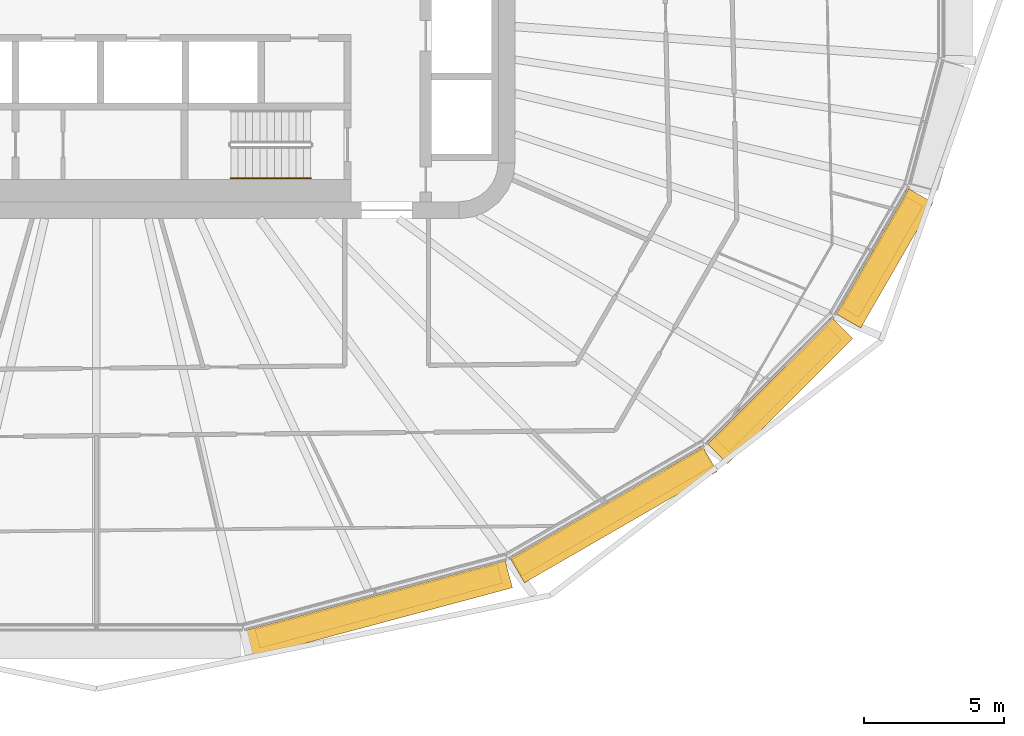
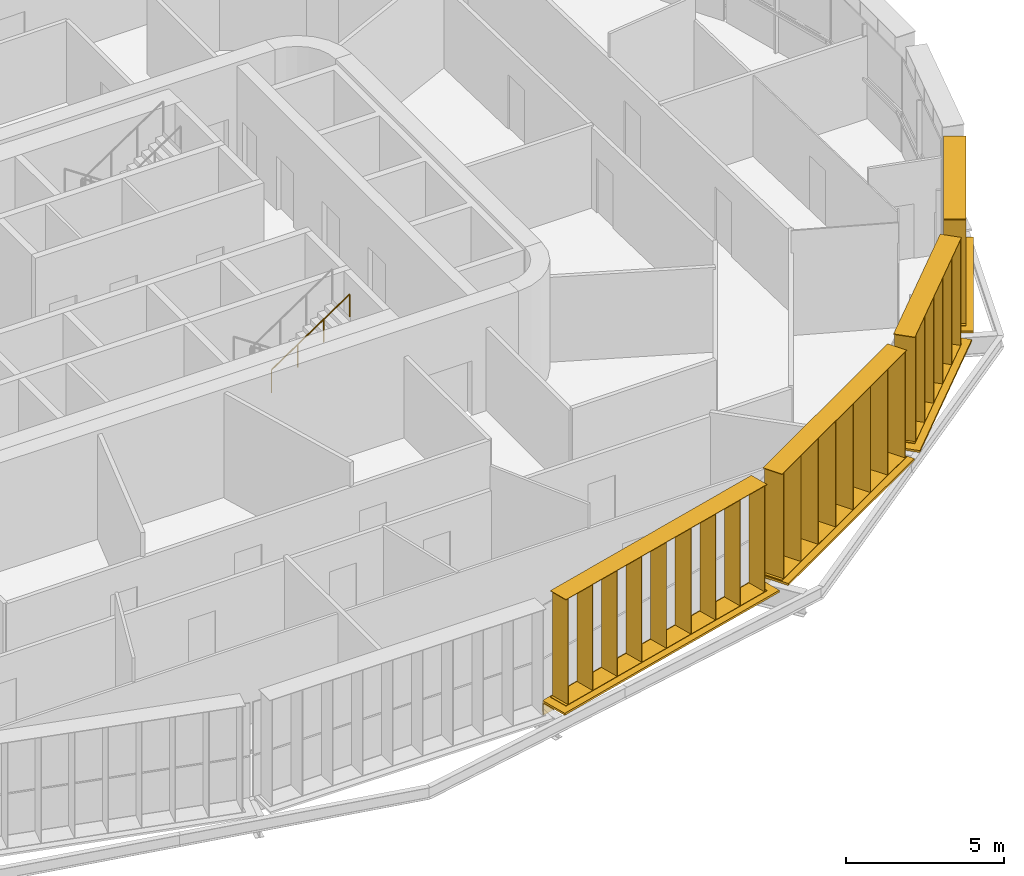
# One storey, part 19 of 22: 8 shading devices, 1 railing.
"""IFC4 building model written with IfcOpenShell, lengths in metres."""

import ifcopenshell
import ifcopenshell.guid

model = None  # the IFC model being written
_history = None  # IfcOwnerHistory: only IFC2X3 demands one
_inside = {}  # id of a spatial element -> (the spatial element, [elements in it])
_under = {}  # id of a project, library or spatial element -> (it, [spatial elements below it])
_declared = {}  # id of a project -> (the project, [libraries it declares])
_typed = {}  # id of a type object -> (the type object, [elements of that type])
_made_of = {}  # id of a material, layer set ... -> (it, [elements and type objects made of it])


def new_model(schema):
    """Start an empty IFC model of exactly this schema.

    Asked for "IFC4X3", IfcOpenShell would pick the latest addendum, in which some entities
    have other attributes; the version numbers below select the first issue.
    IFC2X3 requires an IfcOwnerHistory on every rooted entity: one is made here for all.
    """
    global model, _history
    if schema == "IFC4X3":
        model = ifcopenshell.file(schema_version=(4, 3, 0, 0))
    else:
        model = ifcopenshell.file(schema=schema)
    _inside.clear()
    _under.clear()
    _declared.clear()
    _typed.clear()
    _made_of.clear()
    _history = None
    if model.schema == "IFC2X3":
        org = make("IfcOrganization", Name="unknown")
        user = make(
            "IfcPersonAndOrganization",
            ThePerson=make("IfcPerson", FamilyName="unknown"),
            TheOrganization=org,
        )
        app = make(
            "IfcApplication",
            ApplicationDeveloper=org,
            Version="unknown",
            ApplicationFullName="unknown",
            ApplicationIdentifier="unknown",
        )
        _history = make(
            "IfcOwnerHistory",
            OwningUser=user,
            OwningApplication=app,
            ChangeAction="ADDED",
            CreationDate=0,
        )
    return model


def make(cls, **values):
    """One entity of the class cls with the attributes given. An attribute that is None is left unset."""
    return model.create_entity(
        cls, **{name: value for name, value in values.items() if value is not None}
    )


def rooted(cls, **values):
    """An entity with a GlobalId (a new one), such as an element, a storey or a relation."""
    return make(cls, GlobalId=ifcopenshell.guid.new(), OwnerHistory=_history, **values)


def si_unit(unit_type, name, prefix=None):
    """IfcSIUnit, for example si_unit("LENGTHUNIT", "METRE", prefix="MILLI")."""
    return make("IfcSIUnit", UnitType=unit_type, Prefix=prefix, Name=name)


def assignment(units):
    """IfcUnitAssignment: the units of a project."""
    return None if units is None else make("IfcUnitAssignment", Units=units)


def point(xyz):
    """IfcCartesianPoint."""
    return None if xyz is None else make("IfcCartesianPoint", Coordinates=xyz)


def direction(xyz):
    """IfcDirection."""
    return None if xyz is None else make("IfcDirection", DirectionRatios=xyz)


def frame(location, z_axis=None, x_axis=None):
    """IfcAxis2Placement3D, a coordinate frame: its origin and axes. An axis left out is left unset."""
    return make(
        "IfcAxis2Placement3D",
        Location=point(location),
        Axis=direction(z_axis),
        RefDirection=direction(x_axis),
    )


def frame_2d(location, x_axis=None):
    """IfcAxis2Placement2D, a coordinate frame in the plane: its origin and x axis."""
    return make(
        "IfcAxis2Placement2D", Location=point(location), RefDirection=direction(x_axis)
    )


def origin():
    """The frame at (0, 0, 0) with its axes left unset."""
    return frame((0.0, 0.0, 0.0))


def origin_2d():
    """The frame at (0, 0) in the plane with its x axis left unset."""
    return frame_2d((0.0, 0.0))


def place(relative_to, where):
    """IfcLocalPlacement: puts the frame where relative to a parent placement (None: the world)."""
    return make(
        "IfcLocalPlacement", PlacementRelTo=relative_to, RelativePlacement=where
    )


def context(
    kind, dimensions, precision=None, world=None, true_north=None, identifier=None
):
    """IfcGeometricRepresentationContext, for example the 3D "Model" context."""
    return make(
        "IfcGeometricRepresentationContext",
        ContextIdentifier=identifier,
        ContextType=kind,
        CoordinateSpaceDimension=dimensions,
        Precision=precision,
        WorldCoordinateSystem=world,
        TrueNorth=true_north,
    )


def subcontext(parent, identifier, kind, view, scale=None):
    """IfcGeometricRepresentationSubContext, for example "Body" below "Model"."""
    return make(
        "IfcGeometricRepresentationSubContext",
        ContextIdentifier=identifier,
        ContextType=kind,
        ParentContext=parent,
        TargetScale=scale,
        TargetView=view,
    )


def project(units=None, contexts=None):
    """IfcProject with its units and contexts."""
    return rooted(
        "IfcProject",
        Name="project",
        RepresentationContexts=contexts,
        UnitsInContext=assignment(units),
    )


def spatial(cls, under=None, at=None, **own):
    """A site, building, storey or space (cls), placed at a placement, below another one or the project."""
    s = rooted(cls, ObjectPlacement=at, **own)
    if under is not None:
        _under.setdefault(under.id(), (under, []))[1].append(s)
    return s


def profile(cls, at=None, kind="AREA", **sizes):
    """A parametric profile (cls). Its sizes go by their IFC names, for example OverallWidth=200.0."""
    return make(cls, ProfileType=kind, Position=at, **sizes)


def rectangle(**sizes):
    """IfcRectangleProfileDef."""
    return profile("IfcRectangleProfileDef", **sizes)


def circle(**sizes):
    """IfcCircleProfileDef."""
    return profile("IfcCircleProfileDef", **sizes)


def extrude(swept, where, along, depth):
    """IfcExtrudedAreaSolid: the profile swept, set in the frame where, extruded along a direction by depth."""
    return make(
        "IfcExtrudedAreaSolid",
        SweptArea=swept,
        Position=where,
        ExtrudedDirection=direction(along),
        Depth=depth,
    )


def shape(context_of_items, identifier, shape_type, items):
    """IfcShapeRepresentation: the items that make up one representation, for example the "Body"."""
    return make(
        "IfcShapeRepresentation",
        ContextOfItems=context_of_items,
        RepresentationIdentifier=identifier,
        RepresentationType=shape_type,
        Items=items,
    )


def material(Name=None, Category=None):
    """IfcMaterial."""
    return make("IfcMaterial", Name=Name, Category=Category)


def made_of(thing, what):
    """Note that an element or type object is made of a material, layer set ...; save() writes the relation."""
    if what is not None:
        _made_of.setdefault(what.id(), (what, []))[1].append(thing)
    return thing


def type_object(cls, material=None, **own):
    """A type object (cls), such as IfcWallType, which elements share."""
    return made_of(rooted(cls, **own), material)


def element(
    cls,
    number,
    at=None,
    inside=None,
    cuts=None,
    type_object=None,
    material=None,
    context=None,
    identifier="Body",
    shape_type=None,
    held_by="IfcProductDefinitionShape",
    body=None,
    shapes=None,
    **own,
):
    """One element of the class cls, such as IfcWall. Its Tag is "e" and its number.

    at: its placement. inside: the storey or other place that contains it. cuts: it is an
    opening in that element (IfcRelVoidsElement). A single representation is given by context,
    identifier, shape_type and body (its items); several are given by shapes. held_by: the class
    of the entity that holds the representations. save() writes the other relations.
    """
    e = rooted(cls, Tag="e%d" % number, ObjectPlacement=at, **own)
    if body is not None:
        shapes = [shape(context, identifier, shape_type, body)]
    if shapes is not None:
        e.Representation = make(held_by, Representations=shapes)
    if inside is not None:
        _inside.setdefault(inside.id(), (inside, []))[1].append(e)
    if cuts is not None:
        rooted(
            "IfcRelVoidsElement", RelatingBuildingElement=cuts, RelatedOpeningElement=e
        )
    if type_object is not None:
        _typed.setdefault(type_object.id(), (type_object, []))[1].append(e)
    return made_of(e, material)


def aggregate(whole, parts):
    """IfcRelAggregates: a whole, such as a stair, and the parts it consists of."""
    return rooted("IfcRelAggregates", RelatingObject=whole, RelatedObjects=parts)


def save(model, path):
    """Write the relations noted so far, then the file.

    IfcRelAggregates (storeys below a building ...), IfcRelContainedInSpatialStructure (elements
    in a storey), IfcRelDefinesByType, IfcRelAssociatesMaterial and IfcRelDeclares: one each for
    every whole, place, type object, material and project.
    """
    for whole, parts in _under.values():
        aggregate(whole, parts)
    for where, things in _inside.values():
        rooted(
            "IfcRelContainedInSpatialStructure",
            RelatedElements=things,
            RelatingStructure=where,
        )
    for kind, things in _typed.values():
        rooted("IfcRelDefinesByType", RelatedObjects=things, RelatingType=kind)
    for what, things in _made_of.values():
        rooted("IfcRelAssociatesMaterial", RelatedObjects=things, RelatingMaterial=what)
    for by, libraries in _declared.values():
        rooted("IfcRelDeclares", RelatingContext=by, RelatedDefinitions=libraries)
    model.write(path)


model = new_model("IFC4")

# Units and contexts
model_context = context("Model", 3, precision=1e-05, world=origin(), true_north=direction((0.0, 1.0)))
body_context = subcontext(model_context, "Body", "Model", "MODEL_VIEW")
ifc_project = project(units=[si_unit("LENGTHUNIT", "METRE"), si_unit("AREAUNIT", "SQUARE_METRE"), si_unit("VOLUMEUNIT", "CUBIC_METRE"), si_unit("PLANEANGLEUNIT", "RADIAN"), si_unit("MASSUNIT", "GRAM", prefix="KILO")], contexts=[model_context])

# Site, building, storey
site_placement = place(None, origin())
site = spatial("IfcSite", under=ifc_project, at=site_placement, CompositionType="ELEMENT")
building_placement = place(site_placement, origin())
building = spatial("IfcBuilding", under=site, at=building_placement, Name="Sahrelin Media Tower", CompositionType="ELEMENT")
storey_placement = place(building_placement, frame((0.0, 0.0, 50.39990234375)))
storey = spatial("IfcBuildingStorey", under=building, at=storey_placement, Name="L07", CompositionType="ELEMENT", Elevation=50.39990234375)

# Shading devices
ifc_material_1 = material(Name="Champagne anodised aluminium 6063-T6", Category="aluminium")
shading_device_type_1 = type_object("IfcShadingDeviceType", Name="Fin cassette", PredefinedType="USERDEFINED", material=ifc_material_1)
placement_1 = place(storey_placement, frame((10.003173828125, -21.482666015625, 0.0), z_axis=(0.0, 0.0, 1.0), x_axis=(-0.965928857556, -0.258807731996, 0.0)))
element("IfcShadingDevice", 1, at=placement_1, inside=storey, type_object=shading_device_type_1, Name="L07:FIN:L07-19", ObjectType="FIN", PredefinedType="USERDEFINED", context=body_context, shape_type="SweptSolid", body=[
    extrude(rectangle(XDim=9.0, YDim=0.699951171875, at=origin_2d()), frame((0.0, 0.419921875, 0.0)), (0.0, 0.0, 1.0), 0.02001953125),
    extrude(rectangle(XDim=9.0, YDim=0.699951171875, at=origin_2d()), frame((0.0, 0.419921875, 4.10009765625)), (0.0, 0.0, 1.0), 0.02001953125),
    extrude(rectangle(XDim=0.02001953125, YDim=0.699951171875, at=origin_2d()), frame((-4.39990234375, 0.419921875, 0.010009765625), z_axis=(0.0, 0.0, 1.0), x_axis=(1.0, 0.0, 0.0)), (0.0, 0.0, 1.0), 4.10009765625),
    extrude(rectangle(XDim=0.02001953125, YDim=0.699951171875, at=origin_2d()), frame((-3.300048828125, 0.419921875, 0.010009765625), z_axis=(0.0, 0.0, 1.0), x_axis=(1.0, 0.0, 0.0)), (0.0, 0.0, 1.0), 4.10009765625),
    extrude(rectangle(XDim=0.02001953125, YDim=0.699951171875, at=origin_2d()), frame((-2.199951171875, 0.419921875, 0.010009765625), z_axis=(0.0, 0.0, 1.0), x_axis=(1.0, 0.0, 0.0)), (0.0, 0.0, 1.0), 4.10009765625),
    extrude(rectangle(XDim=0.02001953125, YDim=0.699951171875, at=origin_2d()), frame((-1.10009765625, 0.419921875, 0.010009765625), z_axis=(0.0, 0.0, 1.0), x_axis=(1.0, 0.0, 0.0)), (0.0, 0.0, 1.0), 4.10009765625),
    extrude(rectangle(XDim=0.02001953125, YDim=0.699951171875, at=origin_2d()), frame((0.0, 0.419921875, 0.010009765625), z_axis=(0.0, 0.0, 1.0), x_axis=(1.0, 0.0, 0.0)), (0.0, 0.0, 1.0), 4.10009765625),
    extrude(rectangle(XDim=0.02001953125, YDim=0.699951171875, at=origin_2d()), frame((1.10009765625, 0.419921875, 0.010009765625), z_axis=(0.0, 0.0, 1.0), x_axis=(1.0, 0.0, 0.0)), (0.0, 0.0, 1.0), 4.10009765625),
    extrude(rectangle(XDim=0.02001953125, YDim=0.699951171875, at=origin_2d()), frame((2.199951171875, 0.419921875, 0.010009765625), z_axis=(0.0, 0.0, 1.0), x_axis=(1.0, 0.0, 0.0)), (0.0, 0.0, 1.0), 4.10009765625),
    extrude(rectangle(XDim=0.02001953125, YDim=0.699951171875, at=origin_2d()), frame((3.300048828125, 0.419921875, 0.010009765625), z_axis=(0.0, 0.0, 1.0), x_axis=(1.0, 0.0, 0.0)), (0.0, 0.0, 1.0), 4.10009765625),
    extrude(rectangle(XDim=0.02001953125, YDim=0.699951171875, at=origin_2d()), frame((4.39990234375, 0.419921875, 0.010009765625), z_axis=(0.0, 0.0, 1.0), x_axis=(1.0, 0.0, 0.0)), (0.0, 0.0, 1.0), 4.10009765625),
])
placement_2 = place(storey_placement, frame((18.27880859375, -18.170166015625, 0.0), z_axis=(0.0, 0.0, 1.0), x_axis=(-0.866019052629, -0.500011000363, 0.0)))
element("IfcShadingDevice", 2, at=placement_2, inside=storey, type_object=shading_device_type_1, Name="L07:FIN:L07-20", ObjectType="FIN", PredefinedType="USERDEFINED", context=body_context, shape_type="SweptSolid", body=[
    extrude(rectangle(XDim=7.89990234375, YDim=0.699951171875, at=origin_2d()), frame((0.0, 0.419921875, 0.0)), (0.0, 0.0, 1.0), 0.02001953125),
    extrude(rectangle(XDim=7.89990234375, YDim=0.699951171875, at=origin_2d()), frame((0.0, 0.419921875, 4.10009765625)), (0.0, 0.0, 1.0), 0.02001953125),
    extrude(rectangle(XDim=0.02001953125, YDim=0.699951171875, at=origin_2d()), frame((-3.85009765625, 0.419921875, 0.010009765625), z_axis=(0.0, 0.0, 1.0), x_axis=(1.0, 0.0, 0.0)), (0.0, 0.0, 1.0), 4.10009765625),
    extrude(rectangle(XDim=0.02001953125, YDim=0.699951171875, at=origin_2d()), frame((-2.75, 0.419921875, 0.010009765625), z_axis=(0.0, 0.0, 1.0), x_axis=(1.0, 0.0, 0.0)), (0.0, 0.0, 1.0), 4.10009765625),
    extrude(rectangle(XDim=0.02001953125, YDim=0.699951171875, at=origin_2d()), frame((-1.64990234375, 0.419921875, 0.010009765625), z_axis=(0.0, 0.0, 1.0), x_axis=(1.0, 0.0, 0.0)), (0.0, 0.0, 1.0), 4.10009765625),
    extrude(rectangle(XDim=0.02001953125, YDim=0.699951171875, at=origin_2d()), frame((-0.550048828125, 0.419921875, 0.010009765625), z_axis=(0.0, 0.0, 1.0), x_axis=(1.0, 0.0, 0.0)), (0.0, 0.0, 1.0), 4.10009765625),
    extrude(rectangle(XDim=0.02001953125, YDim=0.699951171875, at=origin_2d()), frame((0.550048828125, 0.419921875, 0.010009765625), z_axis=(0.0, 0.0, 1.0), x_axis=(1.0, 0.0, 0.0)), (0.0, 0.0, 1.0), 4.10009765625),
    extrude(rectangle(XDim=0.02001953125, YDim=0.699951171875, at=origin_2d()), frame((1.64990234375, 0.419921875, 0.010009765625), z_axis=(0.0, 0.0, 1.0), x_axis=(1.0, 0.0, 0.0)), (0.0, 0.0, 1.0), 4.10009765625),
    extrude(rectangle(XDim=0.02001953125, YDim=0.699951171875, at=origin_2d()), frame((2.75, 0.419921875, 0.010009765625), z_axis=(0.0, 0.0, 1.0), x_axis=(1.0, 0.0, 0.0)), (0.0, 0.0, 1.0), 4.10009765625),
    extrude(rectangle(XDim=0.02001953125, YDim=0.699951171875, at=origin_2d()), frame((3.85009765625, 0.419921875, 0.010009765625), z_axis=(0.0, 0.0, 1.0), x_axis=(1.0, 0.0, 0.0)), (0.0, 0.0, 1.0), 4.10009765625),
])
placement_3 = place(storey_placement, frame((24.134033203125, -13.810791015625, 0.0), z_axis=(0.0, 0.0, 1.0), x_axis=(-0.707106781187, -0.707106781187, 0.0)))
element("IfcShadingDevice", 3, at=placement_3, inside=storey, type_object=shading_device_type_1, Name="L07:FIN:L07-21", ObjectType="FIN", PredefinedType="USERDEFINED", context=body_context, shape_type="SweptSolid", body=[
    extrude(rectangle(XDim=5.699951171875, YDim=0.699951171875, at=origin_2d()), frame((0.0, 0.419921875, 0.0)), (0.0, 0.0, 1.0), 0.02001953125),
    extrude(rectangle(XDim=5.699951171875, YDim=0.699951171875, at=origin_2d()), frame((0.0, 0.419921875, 4.10009765625)), (0.0, 0.0, 1.0), 0.02001953125),
    extrude(rectangle(XDim=0.02001953125, YDim=0.699951171875, at=origin_2d()), frame((-2.75, 0.419921875, 0.010009765625), z_axis=(0.0, 0.0, 1.0), x_axis=(1.0, 0.0, 0.0)), (0.0, 0.0, 1.0), 4.10009765625),
    extrude(rectangle(XDim=0.02001953125, YDim=0.699951171875, at=origin_2d()), frame((-1.64990234375, 0.419921875, 0.010009765625), z_axis=(0.0, 0.0, 1.0), x_axis=(1.0, 0.0, 0.0)), (0.0, 0.0, 1.0), 4.10009765625),
    extrude(rectangle(XDim=0.02001953125, YDim=0.699951171875, at=origin_2d()), frame((-0.550048828125, 0.419921875, 0.010009765625), z_axis=(0.0, 0.0, 1.0), x_axis=(1.0, 0.0, 0.0)), (0.0, 0.0, 1.0), 4.10009765625),
    extrude(rectangle(XDim=0.02001953125, YDim=0.699951171875, at=origin_2d()), frame((0.550048828125, 0.419921875, 0.010009765625), z_axis=(0.0, 0.0, 1.0), x_axis=(1.0, 0.0, 0.0)), (0.0, 0.0, 1.0), 4.10009765625),
    extrude(rectangle(XDim=0.02001953125, YDim=0.699951171875, at=origin_2d()), frame((1.64990234375, 0.419921875, 0.010009765625), z_axis=(0.0, 0.0, 1.0), x_axis=(1.0, 0.0, 0.0)), (0.0, 0.0, 1.0), 4.10009765625),
    extrude(rectangle(XDim=0.02001953125, YDim=0.699951171875, at=origin_2d()), frame((2.75, 0.419921875, 0.010009765625), z_axis=(0.0, 0.0, 1.0), x_axis=(1.0, 0.0, 0.0)), (0.0, 0.0, 1.0), 4.10009765625),
])
placement_4 = place(storey_placement, frame((27.79638671875, -9.162841796875, 0.0), z_axis=(0.0, 0.0, 1.0), x_axis=(-0.500011000363, -0.866019052629, 0.0)))
element("IfcShadingDevice", 4, at=placement_4, inside=storey, type_object=shading_device_type_1, Name="L07:FIN:L07-22", ObjectType="FIN", PredefinedType="USERDEFINED", context=body_context, shape_type="SweptSolid", body=[
    extrude(rectangle(XDim=4.60009765625, YDim=0.699951171875, at=origin_2d()), frame((0.0, 0.419921875, 0.0)), (0.0, 0.0, 1.0), 0.02001953125),
    extrude(rectangle(XDim=4.60009765625, YDim=0.699951171875, at=origin_2d()), frame((0.0, 0.419921875, 4.10009765625)), (0.0, 0.0, 1.0), 0.02001953125),
    extrude(rectangle(XDim=0.02001953125, YDim=0.699951171875, at=origin_2d()), frame((-2.199951171875, 0.419921875, 0.010009765625), z_axis=(0.0, 0.0, 1.0), x_axis=(1.0, 0.0, 0.0)), (0.0, 0.0, 1.0), 4.10009765625),
    extrude(rectangle(XDim=0.02001953125, YDim=0.699951171875, at=origin_2d()), frame((-1.10009765625, 0.419921875, 0.010009765625), z_axis=(0.0, 0.0, 1.0), x_axis=(1.0, 0.0, 0.0)), (0.0, 0.0, 1.0), 4.10009765625),
    extrude(rectangle(XDim=0.02001953125, YDim=0.699951171875, at=origin_2d()), frame((0.0, 0.419921875, 0.010009765625), z_axis=(0.0, 0.0, 1.0), x_axis=(1.0, 0.0, 0.0)), (0.0, 0.0, 1.0), 4.10009765625),
    extrude(rectangle(XDim=0.02001953125, YDim=0.699951171875, at=origin_2d()), frame((1.10009765625, 0.419921875, 0.010009765625), z_axis=(0.0, 0.0, 1.0), x_axis=(1.0, 0.0, 0.0)), (0.0, 0.0, 1.0), 4.10009765625),
    extrude(rectangle(XDim=0.02001953125, YDim=0.699951171875, at=origin_2d()), frame((2.199951171875, 0.419921875, 0.010009765625), z_axis=(0.0, 0.0, 1.0), x_axis=(1.0, 0.0, 0.0)), (0.0, 0.0, 1.0), 4.10009765625),
])

# Railing
ifc_material_2 = material(Name="Steel S355", Category="steel")
railing_type = type_object("IfcRailingType", Name="Stair handrail 900", PredefinedType="HANDRAIL", material=ifc_material_2)
railing_placement = place(storey_placement, frame((4.81494140625, -6.550048828125, 2.275146484375)))
element("IfcRailing", 5, at=railing_placement, inside=storey, type_object=railing_type, Name="L07 ST2 stair handrail 2", PredefinedType="HANDRAIL", context=body_context, shape_type="SweptSolid", body=[
    extrude(circle(Radius=0.02392578125, at=origin_2d()), frame((0.0, 0.0, 0.8759765625), z_axis=(0.829590901723, 0.0, 0.558371682465), x_axis=(0.0, 1.0, 0.0)), (0.0, 0.0, 1.0), 3.447509765625),
    extrude(circle(Radius=0.02099609375, at=origin_2d()), origin(), (0.0, 0.0, 1.0), 0.851806640625),
    extrude(circle(Radius=0.02099609375, at=origin_2d()), frame((0.953369140625, 0.0, 0.6416015625)), (0.0, 0.0, 1.0), 0.851806640625),
    extrude(circle(Radius=0.02099609375, at=origin_2d()), frame((1.90673828125, 0.0, 1.283447265625)), (0.0, 0.0, 1.0), 0.851806640625),
    extrude(circle(Radius=0.02099609375, at=origin_2d()), frame((2.860107421875, 0.0, 1.925048828125)), (0.0, 0.0, 1.0), 0.851806640625),
])

# Shading devices
shading_device_type_2 = type_object("IfcShadingDeviceType", Name="Sunshade band", PredefinedType="USERDEFINED", material=ifc_material_1)
element("IfcShadingDevice", 6, at=placement_1, inside=storey, type_object=shading_device_type_2, Name="L07:SUN:L07-19", ObjectType="SUNSHADE", PredefinedType="USERDEFINED", context=body_context, shape_type="SweptSolid", body=[
    extrude(rectangle(XDim=9.606689453125, YDim=0.050048828125, at=origin_2d()), frame((0.0, 0.044921875, -0.55126953125)), (0.0, 0.0, 1.0), 0.471435546875),
    extrude(rectangle(XDim=9.606689453125, YDim=1.0, at=origin_2d()), frame((0.0, 0.52001953125, -0.080078125)), (0.0, 0.0, 1.0), 0.080078125),
    extrude(rectangle(XDim=0.10009765625, YDim=0.074951171875, at=origin_2d()), frame((-4.703369140625, -0.017578125, -0.47021484375)), (0.0, 0.0, 1.0), 0.300048828125),
    extrude(rectangle(XDim=0.10009765625, YDim=0.074951171875, at=origin_2d()), frame((-2.822021484375, -0.017578125, -0.47021484375)), (0.0, 0.0, 1.0), 0.300048828125),
    extrude(rectangle(XDim=0.10009765625, YDim=0.074951171875, at=origin_2d()), frame((-0.940673828125, -0.017578125, -0.47021484375)), (0.0, 0.0, 1.0), 0.300048828125),
    extrude(rectangle(XDim=0.10009765625, YDim=0.074951171875, at=origin_2d()), frame((0.940673828125, -0.017578125, -0.47021484375)), (0.0, 0.0, 1.0), 0.300048828125),
    extrude(rectangle(XDim=0.10009765625, YDim=0.074951171875, at=origin_2d()), frame((2.822021484375, -0.017578125, -0.47021484375)), (0.0, 0.0, 1.0), 0.300048828125),
    extrude(rectangle(XDim=0.10009765625, YDim=0.074951171875, at=origin_2d()), frame((4.703369140625, -0.017578125, -0.47021484375)), (0.0, 0.0, 1.0), 0.300048828125),
])
element("IfcShadingDevice", 7, at=placement_2, inside=storey, type_object=shading_device_type_2, Name="L07:SUN:L07-20", ObjectType="SUNSHADE", PredefinedType="USERDEFINED", context=body_context, shape_type="SweptSolid", body=[
    extrude(rectangle(XDim=7.97412109375, YDim=0.050048828125, at=origin_2d()), frame((0.0, 0.044921875, -0.55126953125)), (0.0, 0.0, 1.0), 0.471435546875),
    extrude(rectangle(XDim=7.97412109375, YDim=1.0, at=origin_2d()), frame((0.0, 0.52001953125, -0.080078125)), (0.0, 0.0, 1.0), 0.080078125),
    extrude(rectangle(XDim=0.10009765625, YDim=0.074951171875, at=origin_2d()), frame((-3.886962890625, -0.017578125, -0.47021484375)), (0.0, 0.0, 1.0), 0.300048828125),
    extrude(rectangle(XDim=0.10009765625, YDim=0.074951171875, at=origin_2d()), frame((-1.943603515625, -0.017578125, -0.47021484375)), (0.0, 0.0, 1.0), 0.300048828125),
    extrude(rectangle(XDim=0.10009765625, YDim=0.074951171875, at=origin_2d()), frame((0.0, -0.017578125, -0.47021484375)), (0.0, 0.0, 1.0), 0.300048828125),
    extrude(rectangle(XDim=0.10009765625, YDim=0.074951171875, at=origin_2d()), frame((1.943603515625, -0.017578125, -0.47021484375)), (0.0, 0.0, 1.0), 0.300048828125),
    extrude(rectangle(XDim=0.10009765625, YDim=0.074951171875, at=origin_2d()), frame((3.886962890625, -0.017578125, -0.47021484375)), (0.0, 0.0, 1.0), 0.300048828125),
])
element("IfcShadingDevice", 8, at=placement_3, inside=storey, type_object=shading_device_type_2, Name="L07:SUN:L07-21", ObjectType="SUNSHADE", PredefinedType="USERDEFINED", context=body_context, shape_type="SweptSolid", body=[
    extrude(rectangle(XDim=6.35009765625, YDim=0.050048828125, at=origin_2d()), frame((0.0, 0.044921875, -0.55126953125)), (0.0, 0.0, 1.0), 0.471435546875),
    extrude(rectangle(XDim=6.35009765625, YDim=1.0, at=origin_2d()), frame((0.0, 0.52001953125, -0.080078125)), (0.0, 0.0, 1.0), 0.080078125),
    extrude(rectangle(XDim=0.10009765625, YDim=0.074951171875, at=origin_2d()), frame((-3.0751953125, -0.017578125, -0.47021484375)), (0.0, 0.0, 1.0), 0.300048828125),
    extrude(rectangle(XDim=0.10009765625, YDim=0.074951171875, at=origin_2d()), frame((-1.53759765625, -0.017578125, -0.47021484375)), (0.0, 0.0, 1.0), 0.300048828125),
    extrude(rectangle(XDim=0.10009765625, YDim=0.074951171875, at=origin_2d()), frame((0.0, -0.017578125, -0.47021484375)), (0.0, 0.0, 1.0), 0.300048828125),
    extrude(rectangle(XDim=0.10009765625, YDim=0.074951171875, at=origin_2d()), frame((1.53759765625, -0.017578125, -0.47021484375)), (0.0, 0.0, 1.0), 0.300048828125),
    extrude(rectangle(XDim=0.10009765625, YDim=0.074951171875, at=origin_2d()), frame((3.0751953125, -0.017578125, -0.47021484375)), (0.0, 0.0, 1.0), 0.300048828125),
])
element("IfcShadingDevice", 9, at=placement_4, inside=storey, type_object=shading_device_type_2, Name="L07:SUN:L07-22", ObjectType="SUNSHADE", PredefinedType="USERDEFINED", context=body_context, shape_type="SweptSolid", body=[
    extrude(rectangle(XDim=5.18603515625, YDim=0.050048828125, at=origin_2d()), frame((0.0, 0.044921875, -0.55126953125)), (0.0, 0.0, 1.0), 0.471435546875),
    extrude(rectangle(XDim=5.18603515625, YDim=1.0, at=origin_2d()), frame((0.0, 0.52001953125, -0.080078125)), (0.0, 0.0, 1.0), 0.080078125),
    extrude(rectangle(XDim=0.10009765625, YDim=0.074951171875, at=origin_2d()), frame((-2.492919921875, -0.017578125, -0.47021484375)), (0.0, 0.0, 1.0), 0.300048828125),
    extrude(rectangle(XDim=0.10009765625, YDim=0.074951171875, at=origin_2d()), frame((-0.8310546875, -0.017578125, -0.47021484375)), (0.0, 0.0, 1.0), 0.300048828125),
    extrude(rectangle(XDim=0.10009765625, YDim=0.074951171875, at=origin_2d()), frame((0.8310546875, -0.017578125, -0.47021484375)), (0.0, 0.0, 1.0), 0.300048828125),
    extrude(rectangle(XDim=0.10009765625, YDim=0.074951171875, at=origin_2d()), frame((2.492919921875, -0.017578125, -0.47021484375)), (0.0, 0.0, 1.0), 0.300048828125),
])

save(model, "model.ifc")
